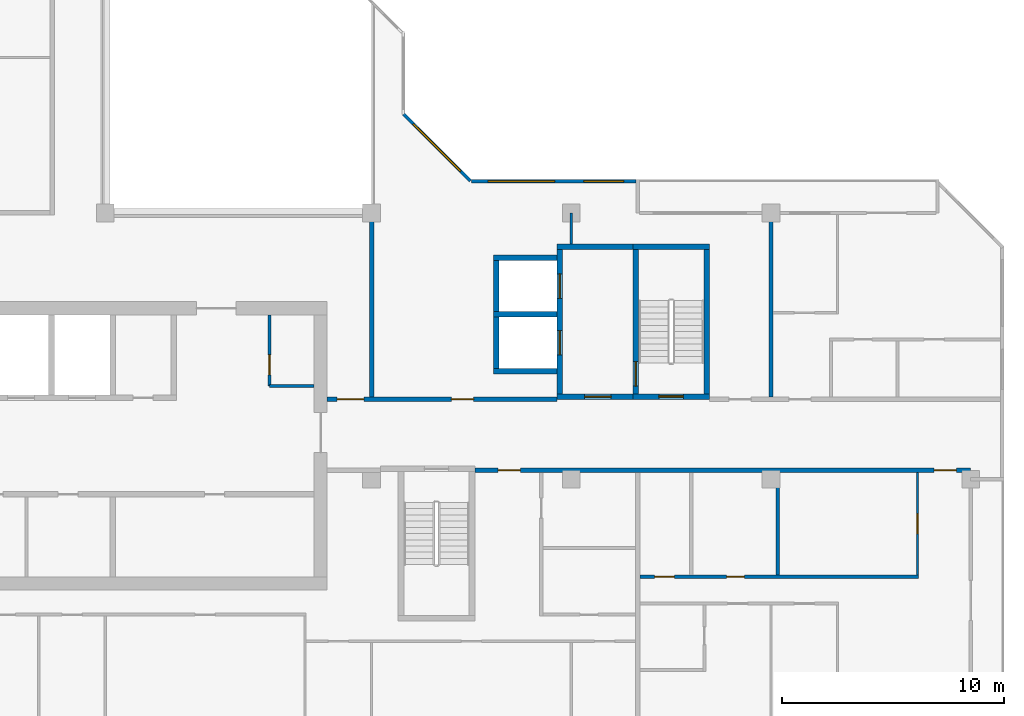
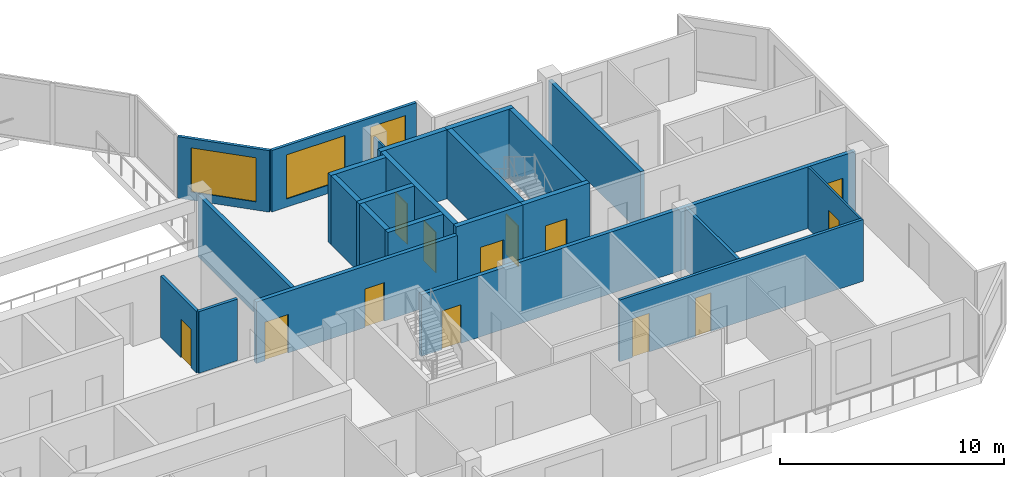
# One storey, part 7 of 13: 24 walls, 13 doors, 3 windows, 16 openings.
"""IFC4 building model written with IfcOpenShell, lengths in metres."""

from ifc_helpers import new_model, si_unit, direction, frame, frame_2d, origin, place, context, subcontext, project, spatial, rectangle, extrude, material, layer, layer_set, type_object, element, fill, save


model = new_model("IFC4")

# Units and contexts
model_context = context("Model", 3, precision=1e-05, world=origin(), true_north=direction((0.0, 1.0)))
body_context = subcontext(model_context, "Body", "Model", "MODEL_VIEW")
ifc_project = project(units=[si_unit("LENGTHUNIT", "METRE"), si_unit("AREAUNIT", "SQUARE_METRE"), si_unit("VOLUMEUNIT", "CUBIC_METRE"), si_unit("PLANEANGLEUNIT", "RADIAN"), si_unit("MASSUNIT", "GRAM", prefix="KILO")], contexts=[model_context])

# Site, building, storey
site_placement = place(None, origin())
site = spatial("IfcSite", under=ifc_project, at=site_placement, CompositionType="ELEMENT")
building_placement = place(site_placement, origin())
building = spatial("IfcBuilding", under=site, at=building_placement, Name="Chenar Terraces", CompositionType="ELEMENT")
storey_placement = place(building_placement, frame((0.0, 0.0, 307.14990234375)))
storey = spatial("IfcBuildingStorey", under=building, at=storey_placement, Name="L72", CompositionType="ELEMENT", Elevation=307.14990234375)

# Wall, opening, door
ifc_material_1 = material(Name="Gypsum board on steel studs", Category="steel")
ifc_layer_1 = layer(ifc_material_1, 0.14990234375)
ifc_layer_set_1 = layer_set([ifc_layer_1], Name="Gypsum board on steel studs")
wall_type_1 = type_object("IfcWallType", Name="Core partition 150 gypsum board", PredefinedType="PARTITIONING", material=ifc_layer_set_1)
wall_1_placement = place(storey_placement, frame((31.39990234375, 16.199951171875, 0.0), z_axis=(0.0, 0.0, 1.0), x_axis=(0.0, 1.0, 0.0)))
wall_1 = element("IfcWall", 1, at=wall_1_placement, inside=storey, type_object=wall_type_1, Name="Core partition CP1 vestibule room west wall", PredefinedType="PARTITIONING", context=body_context, shape_type="SweptSolid", body=[
    extrude(rectangle(XDim=3.199951171875, YDim=0.14990234375, at=frame_2d((1.60009765625, 0.0))), origin(), (0.0, 0.0, 1.0), 3.35009765625),
])
opening_1_placement = place(wall_1_placement, frame((0.5, 0.0, 0.0)))
opening_1 = element("IfcOpeningElement", 2, at=opening_1_placement, cuts=wall_1, Name="Opening DL72-C17", PredefinedType="OPENING", context=body_context, shape_type="SweptSolid", body=[
    extrude(rectangle(XDim=0.89990234375, YDim=2.10009765625, at=frame_2d((0.449951171875, 1.050048828125))), frame((0.0, 0.0849609375, 0.0), z_axis=(0.0, -1.0, 0.0), x_axis=(1.0, 0.0, 0.0)), (0.0, 0.0, 1.0), 0.169921875),
])
ifc_material_2 = material(Name="Steel-framed fire-resisting door leaf", Category="steel")
door_type_1 = type_object("IfcDoorType", Name="Riser fire door FD60 900 x 2100", OperationType="SINGLE_SWING_LEFT", PredefinedType="DOOR", material=ifc_material_2)
door_1_placement = place(opening_1_placement, frame((0.89990234375, 0.0, 0.0), z_axis=(0.0, 0.0, 1.0), x_axis=(-1.0, 0.0, 0.0)))
door_1 = element("IfcDoor", 3, at=door_1_placement, inside=storey, type_object=door_type_1, Name="Core room door DL72-C17", OperationType="SINGLE_SWING_RIGHT", OverallHeight=2.10009765625, OverallWidth=0.89990234375, PredefinedType="DOOR", context=body_context, shape_type="SweptSolid", body=[
    extrude(rectangle(XDim=0.89990234375, YDim=2.10009765625, at=frame_2d((0.449951171875, 1.050048828125))), frame((0.0, 0.02490234375, 0.0), z_axis=(0.0, -1.0, 0.0), x_axis=(1.0, 0.0, 0.0)), (0.0, 0.0, 1.0), 0.050048828125),
])
fill(opening_1, door_1)

# Wall
wall_2_placement = place(storey_placement, frame((31.39990234375, 16.199951171875, 0.0), z_axis=(0.0, 0.0, 1.0), x_axis=(1.0, 0.0, 0.0)))
element("IfcWall", 4, at=wall_2_placement, inside=storey, type_object=wall_type_1, Name="Core partition CP1 vestibule room south wall", PredefinedType="PARTITIONING", context=body_context, shape_type="SweptSolid", body=[
    extrude(rectangle(XDim=2.0, YDim=0.14990234375, at=frame_2d((1.0, 0.0))), origin(), (0.0, 0.0, 1.0), 3.35009765625),
])

# Wall, opening, door
ifc_material_3 = material(Name="Concrete C50/60", Category="concrete")
ifc_layer_2 = layer(ifc_material_3, 0.25)
ifc_layer_set_2 = layer_set([ifc_layer_2], Name="Concrete C50/60")
wall_type_2 = type_object("IfcWallType", Name="Core wall 250 Concrete C50/60", PredefinedType="SHEAR", material=ifc_layer_set_2)
wall_3_placement = place(storey_placement, frame((47.77490234375, 15.72509765625, 0.0), z_axis=(0.0, 0.0, 1.0), x_axis=(1.0, 0.0, 0.0)))
wall_3 = element("IfcWall", 5, at=wall_3_placement, inside=storey, type_object=wall_type_2, Name="Core wall ST3_S L72", PredefinedType="SHEAR", context=body_context, shape_type="SweptSolid", body=[
    extrude(rectangle(XDim=3.4501953125, YDim=0.25, at=frame_2d((1.72509765625, 0.0))), origin(), (0.0, 0.0, 1.0), 3.75),
])
opening_2_placement = place(wall_3_placement, frame((1.175048828125, 0.0, 0.0)))
opening_2 = element("IfcOpeningElement", 6, at=opening_2_placement, cuts=wall_3, Name="Opening DL72-C8", PredefinedType="OPENING", context=body_context, shape_type="SweptSolid", body=[
    extrude(rectangle(XDim=1.10009765625, YDim=2.199951171875, at=frame_2d((0.550048828125, 1.10009765625))), frame((0.0, 0.135009765625, 0.0), z_axis=(0.0, -1.0, 0.0), x_axis=(1.0, 0.0, 0.0)), (0.0, 0.0, 1.0), 0.27001953125),
])
ifc_material_4 = material(Name="Steel-framed fire-resisting door leaf", Category="steel")
door_type_2 = type_object("IfcDoorType", Name="Stair fire door FD60 1100 x 2200", OperationType="SINGLE_SWING_LEFT", PredefinedType="DOOR", material=ifc_material_4)
door_2_placement = place(opening_2_placement, frame((1.10009765625, 0.0, 0.0), z_axis=(0.0, 0.0, 1.0), x_axis=(-1.0, 0.0, 0.0)))
door_2 = element("IfcDoor", 7, at=door_2_placement, inside=storey, type_object=door_type_2, Name="Stair door DL72-C8", OperationType="SINGLE_SWING_LEFT", OverallHeight=2.199951171875, OverallWidth=1.10009765625, PredefinedType="DOOR", context=body_context, shape_type="SweptSolid", body=[
    extrude(rectangle(XDim=1.10009765625, YDim=2.199951171875, at=frame_2d((0.550048828125, 1.10009765625))), frame((0.0, 0.02490234375, 0.0), z_axis=(0.0, -1.0, 0.0), x_axis=(1.0, 0.0, 0.0)), (0.0, 0.0, 1.0), 0.050048828125),
])
fill(opening_2, door_2)

# Wall
wall_4_placement = place(storey_placement, frame((47.77490234375, 22.47509765625, 0.0), z_axis=(0.0, 0.0, 1.0), x_axis=(1.0, 0.0, 0.0)))
element("IfcWall", 8, at=wall_4_placement, inside=storey, type_object=wall_type_2, Name="Core wall ST3_N L72", PredefinedType="SHEAR", context=body_context, shape_type="SweptSolid", body=[
    extrude(rectangle(XDim=3.4501953125, YDim=0.25, at=frame_2d((1.72509765625, 0.0))), origin(), (0.0, 0.0, 1.0), 3.75),
])

# Wall, opening, door
wall_5_placement = place(storey_placement, frame((47.89990234375, 15.85009765625, 0.0), z_axis=(0.0, 0.0, 1.0), x_axis=(0.0, 1.0, 0.0)))
wall_5 = element("IfcWall", 9, at=wall_5_placement, inside=storey, type_object=wall_type_2, Name="Core wall ST3_W L72", PredefinedType="SHEAR", context=body_context, shape_type="SweptSolid", body=[
    extrude(rectangle(XDim=6.5, YDim=0.25, at=frame_2d((3.25, 0.0))), origin(), (0.0, 0.0, 1.0), 3.75),
])
opening_3_placement = place(wall_5_placement, frame((0.35009765625, 0.0, 0.0)))
opening_3 = element("IfcOpeningElement", 10, at=opening_3_placement, cuts=wall_5, Name="Opening DL72-C11", PredefinedType="OPENING", context=body_context, shape_type="SweptSolid", body=[
    extrude(rectangle(XDim=1.10009765625, YDim=2.199951171875, at=frame_2d((0.550048828125, 1.10009765625))), frame((0.0, 0.135009765625, 0.0), z_axis=(0.0, -1.0, 0.0), x_axis=(1.0, 0.0, 0.0)), (0.0, 0.0, 1.0), 0.27001953125),
])
door_3_placement = place(opening_3_placement, frame((1.10009765625, 0.0, 0.0), z_axis=(0.0, 0.0, 1.0), x_axis=(-1.0, 0.0, 0.0)))
door_3 = element("IfcDoor", 11, at=door_3_placement, inside=storey, type_object=door_type_2, Name="Stair door DL72-C11", OperationType="SINGLE_SWING_RIGHT", OverallHeight=2.199951171875, OverallWidth=1.10009765625, PredefinedType="DOOR", context=body_context, shape_type="SweptSolid", body=[
    extrude(rectangle(XDim=1.10009765625, YDim=2.199951171875, at=frame_2d((0.550048828125, 1.10009765625))), frame((0.0, 0.02490234375, 0.0), z_axis=(0.0, -1.0, 0.0), x_axis=(1.0, 0.0, 0.0)), (0.0, 0.0, 1.0), 0.050048828125),
])
fill(opening_3, door_3)

# Wall
wall_6_placement = place(storey_placement, frame((51.10009765625, 15.85009765625, 0.0), z_axis=(0.0, 0.0, 1.0), x_axis=(0.0, 1.0, 0.0)))
element("IfcWall", 12, at=wall_6_placement, inside=storey, type_object=wall_type_2, Name="Core wall ST3_E L72", PredefinedType="SHEAR", context=body_context, shape_type="SweptSolid", body=[
    extrude(rectangle(XDim=6.5, YDim=0.25, at=frame_2d((3.25, 0.0))), origin(), (0.0, 0.0, 1.0), 3.75),
])

# Wall, opening, door
wall_7_placement = place(storey_placement, frame((44.35009765625, 15.72509765625, 0.0), z_axis=(0.0, 0.0, 1.0), x_axis=(1.0, 0.0, 0.0)))
wall_7 = element("IfcWall", 13, at=wall_7_placement, inside=storey, type_object=wall_type_2, Name="Core wall F3_LS L72", PredefinedType="SHEAR", context=body_context, shape_type="SweptSolid", body=[
    extrude(rectangle(XDim=3.4248046875, YDim=0.25, at=frame_2d((1.71240234375, 0.0))), origin(), (0.0, 0.0, 1.0), 3.75),
])
opening_4_placement = place(wall_7_placement, frame((1.25, 0.0, 0.0)))
opening_4 = element("IfcOpeningElement", 14, at=opening_4_placement, cuts=wall_7, Name="Opening DL72-C10", PredefinedType="OPENING", context=body_context, shape_type="SweptSolid", body=[
    extrude(rectangle(XDim=1.199951171875, YDim=2.199951171875, at=frame_2d((0.60009765625, 1.10009765625))), frame((0.0, 0.135009765625, 0.0), z_axis=(0.0, -1.0, 0.0), x_axis=(1.0, 0.0, 0.0)), (0.0, 0.0, 1.0), 0.27001953125),
])
ifc_material_5 = material(Name="Steel-framed fire-resisting door leaf", Category="steel")
door_type_3 = type_object("IfcDoorType", Name="Lobby fire door FD60 1200 x 2200", OperationType="SINGLE_SWING_LEFT", PredefinedType="DOOR", material=ifc_material_5)
door_4_placement = place(opening_4_placement, origin())
door_4 = element("IfcDoor", 15, at=door_4_placement, inside=storey, type_object=door_type_3, Name="Core door DL72-C10", OperationType="SINGLE_SWING_RIGHT", OverallHeight=2.199951171875, OverallWidth=1.199951171875, PredefinedType="DOOR", context=body_context, shape_type="SweptSolid", body=[
    extrude(rectangle(XDim=1.199951171875, YDim=2.199951171875, at=frame_2d((0.60009765625, 1.10009765625))), frame((0.0, 0.02490234375, 0.0), z_axis=(0.0, -1.0, 0.0), x_axis=(1.0, 0.0, 0.0)), (0.0, 0.0, 1.0), 0.050048828125),
])
fill(opening_4, door_4)

# Wall
wall_8_placement = place(storey_placement, frame((44.35009765625, 22.47509765625, 0.0), z_axis=(0.0, 0.0, 1.0), x_axis=(1.0, 0.0, 0.0)))
element("IfcWall", 16, at=wall_8_placement, inside=storey, type_object=wall_type_2, Name="Core wall F3_LN L72", PredefinedType="SHEAR", context=body_context, shape_type="SweptSolid", body=[
    extrude(rectangle(XDim=3.4248046875, YDim=0.25, at=frame_2d((1.71240234375, 0.0))), origin(), (0.0, 0.0, 1.0), 3.75),
])

# Wall, openings, doors
wall_9_placement = place(storey_placement, frame((44.47509765625, 15.85009765625, 0.0), z_axis=(0.0, 0.0, 1.0), x_axis=(0.0, 1.0, 0.0)))
wall_9 = element("IfcWall", 17, at=wall_9_placement, inside=storey, type_object=wall_type_2, Name="Core wall F3_LW L72", PredefinedType="SHEAR", context=body_context, shape_type="SweptSolid", body=[
    extrude(rectangle(XDim=6.5, YDim=0.25, at=frame_2d((3.25, 0.0))), origin(), (0.0, 0.0, 1.0), 3.75),
])
opening_5_placement = place(wall_9_placement, frame((1.75, 0.0, 0.0)))
opening_5 = element("IfcOpeningElement", 18, at=opening_5_placement, cuts=wall_9, Name="Opening DL72-LD8", PredefinedType="OPENING", context=body_context, shape_type="SweptSolid", body=[
    extrude(rectangle(XDim=1.10009765625, YDim=2.199951171875, at=frame_2d((0.550048828125, 1.10009765625))), frame((0.0, 0.135009765625, 0.0), z_axis=(0.0, -1.0, 0.0), x_axis=(1.0, 0.0, 0.0)), (0.0, 0.0, 1.0), 0.27001953125),
])
opening_6_placement = place(wall_9_placement, frame((4.300048828125, 0.0, 0.0)))
opening_6 = element("IfcOpeningElement", 19, at=opening_6_placement, cuts=wall_9, Name="Opening DL72-LD9", PredefinedType="OPENING", context=body_context, shape_type="SweptSolid", body=[
    extrude(rectangle(XDim=1.10009765625, YDim=2.199951171875, at=frame_2d((0.550048828125, 1.10009765625))), frame((0.0, 0.135009765625, 0.0), z_axis=(0.0, -1.0, 0.0), x_axis=(1.0, 0.0, 0.0)), (0.0, 0.0, 1.0), 0.27001953125),
])
ifc_material_6 = material(Name="Stainless steel", Category="steel")
door_type_4 = type_object("IfcDoorType", Name="Lift landing door 1100 x 2200 sliding", OperationType="DOUBLE_DOOR_SLIDING", PredefinedType="DOOR", material=ifc_material_6)
door_5_placement = place(opening_5_placement, origin())
door_5 = element("IfcDoor", 20, at=door_5_placement, inside=storey, type_object=door_type_4, Name="Landing door F3", OperationType="DOUBLE_DOOR_SLIDING", OverallHeight=2.199951171875, OverallWidth=1.10009765625, PredefinedType="DOOR", context=body_context, shape_type="SweptSolid", body=[
    extrude(rectangle(XDim=1.10009765625, YDim=2.199951171875, at=frame_2d((0.550048828125, 1.10009765625))), frame((0.0, 0.02490234375, 0.0), z_axis=(0.0, -1.0, 0.0), x_axis=(1.0, 0.0, 0.0)), (0.0, 0.0, 1.0), 0.050048828125),
])
fill(opening_5, door_5)
door_6_placement = place(opening_6_placement, origin())
door_6 = element("IfcDoor", 21, at=door_6_placement, inside=storey, type_object=door_type_4, Name="Landing door F4", OperationType="DOUBLE_DOOR_SLIDING", OverallHeight=2.199951171875, OverallWidth=1.10009765625, PredefinedType="DOOR", context=body_context, shape_type="SweptSolid", body=[
    extrude(rectangle(XDim=1.10009765625, YDim=2.199951171875, at=frame_2d((0.550048828125, 1.10009765625))), frame((0.0, 0.02490234375, 0.0), z_axis=(0.0, -1.0, 0.0), x_axis=(1.0, 0.0, 0.0)), (0.0, 0.0, 1.0), 0.050048828125),
])
fill(opening_6, door_6)

# Walls
for number, where, z_axis, x_axis, name in (
    (22, (41.5, 16.875, 0.0), (0.0, 0.0, 1.0), (1.0, 0.0, 0.0), "Core wall F3_SS L72"),
    (23, (41.5, 19.425048828125, 0.0), (0.0, 0.0, 1.0), (1.0, 0.0, 0.0), "Core wall F3_SM L72"),
    (24, (41.5, 21.97509765625, 0.0), (0.0, 0.0, 1.0), (1.0, 0.0, 0.0), "Core wall F4_SN L72"),
):
    element("IfcWall", number, at=place(storey_placement, frame(where, z_axis=z_axis, x_axis=x_axis)), inside=storey, type_object=wall_type_2, Name=name, PredefinedType="SHEAR", context=body_context, shape_type="SweptSolid", body=[
        extrude(rectangle(XDim=2.85009765625, YDim=0.25, at=frame_2d((1.425048828125, 0.0))), origin(), (0.0, 0.0, 1.0), 3.75),
    ])
for number, where, z_axis, x_axis, name in (
    (25, (41.625, 17.0, 0.0), (0.0, 0.0, 1.0), (0.0, 1.0, 0.0), "Core wall F3_SW L72"),
    (26, (41.625, 19.550048828125, 0.0), (0.0, 0.0, 1.0), (0.0, 1.0, 0.0), "Core wall F4_SW L72"),
):
    element("IfcWall", number, at=place(storey_placement, frame(where, z_axis=z_axis, x_axis=x_axis)), inside=storey, type_object=wall_type_2, Name=name, PredefinedType="SHEAR", context=body_context, shape_type="SweptSolid", body=[
        extrude(rectangle(XDim=2.300048828125, YDim=0.25, at=frame_2d((1.14990234375, 0.0))), origin(), (0.0, 0.0, 1.0), 3.75),
    ])

# Wall, openings, doors
ifc_material_7 = material(Name="Gypsum board on steel studs with fire boards", Category="steel")
ifc_layer_3 = layer(ifc_material_7, 0.199951171875)
ifc_layer_set_3 = layer_set([ifc_layer_3], Name="Gypsum board on steel studs with fire boards")
wall_type_3 = type_object("IfcWallType", Name="Corridor wall 200", PredefinedType="PARTITIONING", material=ifc_layer_set_3)
wall_10_placement = place(storey_placement, frame((34.0, 15.60009765625, 0.0), z_axis=(0.0, 0.0, 1.0), x_axis=(1.0, 0.0, 0.0)))
wall_10 = element("IfcWall", 27, at=wall_10_placement, inside=storey, type_object=wall_type_3, Name="Partition L72-052", PredefinedType="PARTITIONING", context=body_context, shape_type="SweptSolid", body=[
    extrude(rectangle(XDim=10.35009765625, YDim=0.199951171875, at=frame_2d((5.175048828125, 0.0))), origin(), (0.0, 0.0, 1.0), 3.35009765625),
])
opening_7_placement = place(wall_10_placement, frame((5.60009765625, 0.0, 0.0)))
opening_7 = element("IfcOpeningElement", 28, at=opening_7_placement, cuts=wall_10, Name="Opening DL72-3", PredefinedType="OPENING", context=body_context, shape_type="SweptSolid", body=[
    extrude(rectangle(XDim=1.0, YDim=2.10009765625, at=frame_2d((0.5, 1.050048828125))), frame((0.0, 0.10986328125, 0.0), z_axis=(0.0, -1.0, 0.0), x_axis=(1.0, 0.0, 0.0)), (0.0, 0.0, 1.0), 0.219970703125),
])
opening_8_placement = place(wall_10_placement, frame((0.449951171875, 0.0, 0.0)))
opening_8 = element("IfcOpeningElement", 29, at=opening_8_placement, cuts=wall_10, Name="Opening DL72-29", PredefinedType="OPENING", context=body_context, shape_type="SweptSolid", body=[
    extrude(rectangle(XDim=1.199951171875, YDim=2.10009765625, at=frame_2d((0.60009765625, 1.050048828125))), frame((0.0, 0.10986328125, 0.0), z_axis=(0.0, -1.0, 0.0), x_axis=(1.0, 0.0, 0.0)), (0.0, 0.0, 1.0), 0.219970703125),
])
ifc_material_8 = material(Name="Steel-framed fire-resisting door leaf", Category="steel")
door_type_5 = type_object("IfcDoorType", Name="Fire door FD60 1000 x 2100", OperationType="SINGLE_SWING_LEFT", PredefinedType="DOOR", material=ifc_material_8)
door_7_placement = place(opening_7_placement, origin())
door_7 = element("IfcDoor", 30, at=door_7_placement, inside=storey, type_object=door_type_5, Name="Door DL72-3", OperationType="SINGLE_SWING_RIGHT", OverallHeight=2.10009765625, OverallWidth=1.0, PredefinedType="DOOR", context=body_context, shape_type="SweptSolid", body=[
    extrude(rectangle(XDim=1.0, YDim=2.10009765625, at=frame_2d((0.5, 1.050048828125))), frame((0.0, 0.02490234375, 0.0), z_axis=(0.0, -1.0, 0.0), x_axis=(1.0, 0.0, 0.0)), (0.0, 0.0, 1.0), 0.050048828125),
])
fill(opening_7, door_7)
ifc_material_9 = material(Name="Steel-framed fire-resisting door leaf", Category="steel")
door_type_6 = type_object("IfcDoorType", Name="Fire door FD60 1200 x 2100", OperationType="SINGLE_SWING_LEFT", PredefinedType="DOOR", material=ifc_material_9)
door_8_placement = place(opening_8_placement, origin())
door_8 = element("IfcDoor", 31, at=door_8_placement, inside=storey, type_object=door_type_6, Name="Door DL72-29", OperationType="SINGLE_SWING_RIGHT", OverallHeight=2.10009765625, OverallWidth=1.199951171875, PredefinedType="DOOR", context=body_context, shape_type="SweptSolid", body=[
    extrude(rectangle(XDim=1.199951171875, YDim=2.10009765625, at=frame_2d((0.60009765625, 1.050048828125))), frame((0.0, 0.02490234375, 0.0), z_axis=(0.0, -1.0, 0.0), x_axis=(1.0, 0.0, 0.0)), (0.0, 0.0, 1.0), 0.050048828125),
])
fill(opening_8, door_8)

# Wall
wall_11_placement = place(storey_placement, frame((36.0, 15.699951171875, 0.0), z_axis=(0.0, 0.0, 1.0), x_axis=(0.0, 1.0, 0.0)))
element("IfcWall", 32, at=wall_11_placement, inside=storey, type_object=wall_type_3, Name="Partition L72-054", PredefinedType="PARTITIONING", context=body_context, shape_type="SweptSolid", body=[
    extrude(rectangle(XDim=8.300048828125, YDim=0.199951171875, at=frame_2d((4.14990234375, 0.0))), origin(), (0.0, 0.0, 1.0), 3.35009765625),
])

# Wall, openings, doors
wall_12_placement = place(storey_placement, frame((40.64990234375, 12.39990234375, 0.0), z_axis=(0.0, 0.0, 1.0), x_axis=(1.0, 0.0, 0.0)))
wall_12 = element("IfcWall", 33, at=wall_12_placement, inside=storey, type_object=wall_type_3, Name="Partition L72-055", PredefinedType="PARTITIONING", context=body_context, shape_type="SweptSolid", body=[
    extrude(rectangle(XDim=22.35009765625, YDim=0.199951171875, at=frame_2d((11.175048828125, 0.0))), origin(), (0.0, 0.0, 1.0), 3.35009765625),
])
opening_9_placement = place(wall_12_placement, frame((20.699951171875, 0.0, 0.0)))
opening_9 = element("IfcOpeningElement", 34, at=opening_9_placement, cuts=wall_12, Name="Opening DL72-13", PredefinedType="OPENING", context=body_context, shape_type="SweptSolid", body=[
    extrude(rectangle(XDim=1.0, YDim=2.10009765625, at=frame_2d((0.5, 1.050048828125))), frame((0.0, 0.10986328125, 0.0), z_axis=(0.0, -1.0, 0.0), x_axis=(1.0, 0.0, 0.0)), (0.0, 0.0, 1.0), 0.219970703125),
])
opening_10_placement = place(wall_12_placement, frame((1.050048828125, 0.0, 0.0)))
opening_10 = element("IfcOpeningElement", 35, at=opening_10_placement, cuts=wall_12, Name="Opening DL72-43", PredefinedType="OPENING", context=body_context, shape_type="SweptSolid", body=[
    extrude(rectangle(XDim=1.0, YDim=2.10009765625, at=frame_2d((0.5, 1.050048828125))), frame((0.0, 0.10986328125, 0.0), z_axis=(0.0, -1.0, 0.0), x_axis=(1.0, 0.0, 0.0)), (0.0, 0.0, 1.0), 0.219970703125),
])
ifc_material_10 = material(Name="Steel-framed fire-resisting door leaf", Category="steel")
door_type_7 = type_object("IfcDoorType", Name="Fire door FD30S 1000 x 2100", OperationType="SINGLE_SWING_LEFT", PredefinedType="DOOR", material=ifc_material_10)
door_9_placement = place(opening_9_placement, frame((1.0, 0.0, 0.0), z_axis=(0.0, 0.0, 1.0), x_axis=(-1.0, 0.0, 0.0)))
door_9 = element("IfcDoor", 36, at=door_9_placement, inside=storey, type_object=door_type_7, Name="Door DL72-13", OperationType="SINGLE_SWING_LEFT", OverallHeight=2.10009765625, OverallWidth=1.0, PredefinedType="DOOR", context=body_context, shape_type="SweptSolid", body=[
    extrude(rectangle(XDim=1.0, YDim=2.10009765625, at=frame_2d((0.5, 1.050048828125))), frame((0.0, 0.02490234375, 0.0), z_axis=(0.0, -1.0, 0.0), x_axis=(1.0, 0.0, 0.0)), (0.0, 0.0, 1.0), 0.050048828125),
])
fill(opening_9, door_9)
door_10_placement = place(opening_10_placement, origin())
door_10 = element("IfcDoor", 37, at=door_10_placement, inside=storey, type_object=door_type_7, Name="Door DL72-43", OperationType="SINGLE_SWING_LEFT", OverallHeight=2.10009765625, OverallWidth=1.0, PredefinedType="DOOR", context=body_context, shape_type="SweptSolid", body=[
    extrude(rectangle(XDim=1.0, YDim=2.10009765625, at=frame_2d((0.5, 1.050048828125))), frame((0.0, 0.02490234375, 0.0), z_axis=(0.0, -1.0, 0.0), x_axis=(1.0, 0.0, 0.0)), (0.0, 0.0, 1.0), 0.050048828125),
])
fill(opening_10, door_10)

# Wall, openings, windows
ifc_material_11 = material(Name="Aluminium framed glazing", Category="aluminium")
ifc_layer_4 = layer(ifc_material_11, 0.14990234375)
ifc_layer_set_4 = layer_set([ifc_layer_4], Name="Aluminium framed glazing")
wall_type_4 = type_object("IfcWallType", Name="Glazed flush facade wall 150", PredefinedType="SOLIDWALL", material=ifc_layer_set_4)
wall_13_placement = place(storey_placement, frame((47.925048828125, 25.425048828125, 0.0), z_axis=(0.0, 0.0, 1.0), x_axis=(-1.0, 0.0, 0.0)))
wall_13 = element("IfcWall", 38, at=wall_13_placement, inside=storey, type_object=wall_type_4, Name="Glazed flush facade wall", PredefinedType="SOLIDWALL", context=body_context, shape_type="SweptSolid", body=[
    extrude(rectangle(XDim=7.425048828125, YDim=0.14990234375, at=frame_2d((3.71240234375, 0.0))), origin(), (0.0, 0.0, 1.0), 3.35009765625),
])
opening_11_placement = place(wall_13_placement, frame((0.5625, 0.0, 0.449951171875)))
opening_11 = element("IfcOpeningElement", 39, at=opening_11_placement, cuts=wall_13, Name="Opening W180x240", PredefinedType="OPENING", context=body_context, shape_type="SweptSolid", body=[
    extrude(rectangle(XDim=1.800048828125, YDim=2.39990234375, at=frame_2d((0.89990234375, 1.199951171875))), frame((0.0, 0.0849609375, 0.0), z_axis=(0.0, -1.0, 0.0), x_axis=(1.0, 0.0, 0.0)), (0.0, 0.0, 1.0), 0.169921875),
])
opening_12_placement = place(wall_13_placement, frame((3.675048828125, 0.0, 0.449951171875)))
opening_12 = element("IfcOpeningElement", 40, at=opening_12_placement, cuts=wall_13, Name="Opening W300x240", PredefinedType="OPENING", context=body_context, shape_type="SweptSolid", body=[
    extrude(rectangle(XDim=3.0, YDim=2.39990234375, at=frame_2d((1.5, 1.199951171875))), frame((0.0, 0.0849609375, 0.0), z_axis=(0.0, -1.0, 0.0), x_axis=(1.0, 0.0, 0.0)), (0.0, 0.0, 1.0), 0.169921875),
])
ifc_material_12 = material(Name="Low emissivity double glazing, aluminium frame", Category="aluminium")
window_type_1 = type_object("IfcWindowType", Name="Fixed light 1800 x 2400", PartitioningType="SINGLE_PANEL", PredefinedType="WINDOW", material=ifc_material_12)
window_1_placement = place(opening_11_placement, origin())
window_1 = element("IfcWindow", 41, at=window_1_placement, inside=storey, type_object=window_type_1, Name="Window", OverallHeight=2.39990234375, OverallWidth=1.800048828125, PartitioningType="SINGLE_PANEL", PredefinedType="WINDOW", context=body_context, shape_type="SweptSolid", body=[
    extrude(rectangle(XDim=1.800048828125, YDim=2.39990234375, at=frame_2d((0.89990234375, 1.199951171875))), frame((0.0, 0.030029296875, 0.0), z_axis=(0.0, -1.0, 0.0), x_axis=(1.0, 0.0, 0.0)), (0.0, 0.0, 1.0), 0.06005859375),
])
fill(opening_11, window_1)
ifc_material_13 = material(Name="Low emissivity double glazing, aluminium frame", Category="aluminium")
window_type_2 = type_object("IfcWindowType", Name="Fixed light 3000 x 2400", PartitioningType="SINGLE_PANEL", PredefinedType="WINDOW", material=ifc_material_13)
window_2_placement = place(opening_12_placement, origin())
window_2 = element("IfcWindow", 42, at=window_2_placement, inside=storey, type_object=window_type_2, Name="Window", OverallHeight=2.39990234375, OverallWidth=3.0, PartitioningType="SINGLE_PANEL", PredefinedType="WINDOW", context=body_context, shape_type="SweptSolid", body=[
    extrude(rectangle(XDim=3.0, YDim=2.39990234375, at=frame_2d((1.5, 1.199951171875))), frame((0.0, 0.030029296875, 0.0), z_axis=(0.0, -1.0, 0.0), x_axis=(1.0, 0.0, 0.0)), (0.0, 0.0, 1.0), 0.06005859375),
])
fill(opening_12, window_2)

# Wall
ifc_material_14 = material(Name="Gypsum board on steel studs", Category="steel")
ifc_layer_5 = layer(ifc_material_14, 0.10009765625)
ifc_layer_set_5 = layer_set([ifc_layer_5], Name="Gypsum board on steel studs")
wall_type_5 = type_object("IfcWallType", Name="Gypsum partition 100", PredefinedType="PARTITIONING", material=ifc_layer_set_5)
wall_14_placement = place(storey_placement, frame((45.0, 22.60009765625, 0.0), z_axis=(0.0, 0.0, 1.0), x_axis=(0.0, 1.0, 0.0)))
element("IfcWall", 43, at=wall_14_placement, inside=storey, type_object=wall_type_5, Name="Partition L72-060", PredefinedType="PARTITIONING", context=body_context, shape_type="SweptSolid", body=[
    extrude(rectangle(XDim=1.39990234375, YDim=0.10009765625, at=frame_2d((0.699951171875, 0.0))), origin(), (0.0, 0.0, 1.0), 3.35009765625),
])

# Wall, opening, door
wall_15_placement = place(storey_placement, frame((60.60009765625, 7.675048828125, 0.0), z_axis=(0.0, 0.0, 1.0), x_axis=(0.0, 1.0, 0.0)))
wall_15 = element("IfcWall", 44, at=wall_15_placement, inside=storey, type_object=wall_type_5, Name="Partition L72-077", PredefinedType="PARTITIONING", context=body_context, shape_type="SweptSolid", body=[
    extrude(rectangle(XDim=4.625, YDim=0.10009765625, at=frame_2d((2.3125, 0.0))), origin(), (0.0, 0.0, 1.0), 3.35009765625),
])
opening_13_placement = place(wall_15_placement, frame((1.875, 0.0, 0.0)))
opening_13 = element("IfcOpeningElement", 45, at=opening_13_placement, cuts=wall_15, Name="Opening DL72-12", PredefinedType="OPENING", context=body_context, shape_type="SweptSolid", body=[
    extrude(rectangle(XDim=0.89990234375, YDim=2.10009765625, at=frame_2d((0.449951171875, 1.050048828125))), frame((0.0, 0.06005859375, 0.0), z_axis=(0.0, -1.0, 0.0), x_axis=(1.0, 0.0, 0.0)), (0.0, 0.0, 1.0), 0.1201171875),
])
ifc_material_15 = material(Name="Veneered timber door leaf", Category="wood")
door_type_8 = type_object("IfcDoorType", Name="Door 900 x 2100", OperationType="SINGLE_SWING_LEFT", PredefinedType="DOOR", material=ifc_material_15)
door_11_placement = place(opening_13_placement, origin())
door_11 = element("IfcDoor", 46, at=door_11_placement, inside=storey, type_object=door_type_8, Name="Door DL72-12", OperationType="SINGLE_SWING_LEFT", OverallHeight=2.10009765625, OverallWidth=0.89990234375, PredefinedType="DOOR", context=body_context, shape_type="SweptSolid", body=[
    extrude(rectangle(XDim=0.89990234375, YDim=2.10009765625, at=frame_2d((0.449951171875, 1.050048828125))), frame((0.0, 0.02490234375, 0.0), z_axis=(0.0, -1.0, 0.0), x_axis=(1.0, 0.0, 0.0)), (0.0, 0.0, 1.0), 0.050048828125),
])
fill(opening_13, door_11)

# Wall, opening, window
ifc_material_16 = material(Name="Terracotta cladding on insulated backing", Category="masonry")
ifc_layer_6 = layer(ifc_material_16, 0.14990234375)
ifc_layer_set_6 = layer_set([ifc_layer_6], Name="Terracotta cladding on insulated backing")
wall_type_6 = type_object("IfcWallType", Name="Terracotta rainscreen wall 150", PredefinedType="SOLIDWALL", material=ifc_layer_set_6)
wall_16_placement = place(storey_placement, frame((40.447021484375, 25.447021484375, 0.0), z_axis=(0.0, 0.0, 1.0), x_axis=(-0.707106781187, 0.707106781187, 0.0)))
wall_16 = element("IfcWall", 47, at=wall_16_placement, inside=storey, type_object=wall_type_6, Name="Terracotta rainscreen wall", PredefinedType="SOLIDWALL", context=body_context, shape_type="SweptSolid", body=[
    extrude(rectangle(XDim=4.24267578125, YDim=0.14990234375, at=frame_2d((2.121337890625, 0.0))), origin(), (0.0, 0.0, 1.0), 3.35009765625),
])
opening_14_placement = place(wall_16_placement, frame((0.621337890625, 0.0, 0.449951171875)))
opening_14 = element("IfcOpeningElement", 48, at=opening_14_placement, cuts=wall_16, Name="Opening W300x240", PredefinedType="OPENING", context=body_context, shape_type="SweptSolid", body=[
    extrude(rectangle(XDim=3.0, YDim=2.39990234375, at=frame_2d((1.5, 1.199951171875))), frame((0.0, 0.0849609375, 0.0), z_axis=(0.0, -1.0, 0.0), x_axis=(1.0, 0.0, 0.0)), (0.0, 0.0, 1.0), 0.169921875),
])
window_3_placement = place(opening_14_placement, origin())
window_3 = element("IfcWindow", 49, at=window_3_placement, inside=storey, type_object=window_type_2, Name="Window", OverallHeight=2.39990234375, OverallWidth=3.0, PartitioningType="SINGLE_PANEL", PredefinedType="WINDOW", context=body_context, shape_type="SweptSolid", body=[
    extrude(rectangle(XDim=3.0, YDim=2.39990234375, at=frame_2d((1.5, 1.199951171875))), frame((0.0, 0.030029296875, 0.0), z_axis=(0.0, -1.0, 0.0), x_axis=(1.0, 0.0, 0.0)), (0.0, 0.0, 1.0), 0.06005859375),
])
fill(opening_14, window_3)

# Wall
ifc_material_17 = material(Name="Twin gypsum board on steel studs with mineral wool", Category="steel")
ifc_layer_7 = layer(ifc_material_17, 0.199951171875)
ifc_layer_set_7 = layer_set([ifc_layer_7], Name="Twin gypsum board on steel studs with mineral wool")
wall_type_7 = type_object("IfcWallType", Name="Unit demising wall 200", PredefinedType="PARTITIONING", material=ifc_layer_set_7)
wall_17_placement = place(storey_placement, frame((54.0, 15.699951171875, 0.0), z_axis=(0.0, 0.0, 1.0), x_axis=(0.0, 1.0, 0.0)))
element("IfcWall", 50, at=wall_17_placement, inside=storey, type_object=wall_type_7, Name="Partition L72-069", PredefinedType="PARTITIONING", context=body_context, shape_type="SweptSolid", body=[
    extrude(rectangle(XDim=8.22607421875, YDim=0.199951171875, at=frame_2d((4.113037109375, 0.0))), origin(), (0.0, 0.0, 1.0), 3.35009765625),
])

# Wall, openings, doors
ifc_material_18 = material(Name="Moisture-resistant gypsum board on steel studs", Category="steel")
ifc_layer_8 = layer(ifc_material_18, 0.14990234375)
ifc_layer_set_8 = layer_set([ifc_layer_8], Name="Moisture-resistant gypsum board on steel studs")
wall_type_8 = type_object("IfcWallType", Name="Wet-room partition 150", PredefinedType="PARTITIONING", material=ifc_layer_set_8)
wall_18_placement = place(storey_placement, frame((48.10009765625, 7.60009765625, 0.0), z_axis=(0.0, 0.0, 1.0), x_axis=(1.0, 0.0, 0.0)))
wall_18 = element("IfcWall", 51, at=wall_18_placement, inside=storey, type_object=wall_type_8, Name="Partition L72-064", PredefinedType="PARTITIONING", context=body_context, shape_type="SweptSolid", body=[
    extrude(rectangle(XDim=12.5498046875, YDim=0.14990234375, at=frame_2d((6.27490234375, 0.0))), origin(), (0.0, 0.0, 1.0), 3.35009765625),
])
opening_15_placement = place(wall_18_placement, frame((3.89990234375, 0.0, 0.0)))
opening_15 = element("IfcOpeningElement", 52, at=opening_15_placement, cuts=wall_18, Name="Opening DL72-8", PredefinedType="OPENING", context=body_context, shape_type="SweptSolid", body=[
    extrude(rectangle(XDim=0.800048828125, YDim=2.10009765625, at=frame_2d((0.39990234375, 1.050048828125))), frame((0.0, 0.0849609375, 0.0), z_axis=(0.0, -1.0, 0.0), x_axis=(1.0, 0.0, 0.0)), (0.0, 0.0, 1.0), 0.169921875),
])
opening_16_placement = place(wall_18_placement, frame((0.64990234375, 0.0, 0.0)))
opening_16 = element("IfcOpeningElement", 53, at=opening_16_placement, cuts=wall_18, Name="Opening DL72-14", PredefinedType="OPENING", context=body_context, shape_type="SweptSolid", body=[
    extrude(rectangle(XDim=0.89990234375, YDim=2.10009765625, at=frame_2d((0.449951171875, 1.050048828125))), frame((0.0, 0.0849609375, 0.0), z_axis=(0.0, -1.0, 0.0), x_axis=(1.0, 0.0, 0.0)), (0.0, 0.0, 1.0), 0.169921875),
])
ifc_material_19 = material(Name="Veneered timber door leaf", Category="wood")
door_type_9 = type_object("IfcDoorType", Name="Door 800 x 2100", OperationType="SINGLE_SWING_LEFT", PredefinedType="DOOR", material=ifc_material_19)
door_12_placement = place(opening_15_placement, origin())
door_12 = element("IfcDoor", 54, at=door_12_placement, inside=storey, type_object=door_type_9, Name="Door DL72-8", OperationType="SINGLE_SWING_RIGHT", OverallHeight=2.10009765625, OverallWidth=0.800048828125, PredefinedType="DOOR", context=body_context, shape_type="SweptSolid", body=[
    extrude(rectangle(XDim=0.800048828125, YDim=2.10009765625, at=frame_2d((0.39990234375, 1.050048828125))), frame((0.0, 0.02490234375, 0.0), z_axis=(0.0, -1.0, 0.0), x_axis=(1.0, 0.0, 0.0)), (0.0, 0.0, 1.0), 0.050048828125),
])
fill(opening_15, door_12)
door_13_placement = place(opening_16_placement, origin())
door_13 = element("IfcDoor", 55, at=door_13_placement, inside=storey, type_object=door_type_8, Name="Door DL72-14", OperationType="SINGLE_SWING_RIGHT", OverallHeight=2.10009765625, OverallWidth=0.89990234375, PredefinedType="DOOR", context=body_context, shape_type="SweptSolid", body=[
    extrude(rectangle(XDim=0.89990234375, YDim=2.10009765625, at=frame_2d((0.449951171875, 1.050048828125))), frame((0.0, 0.02490234375, 0.0), z_axis=(0.0, -1.0, 0.0), x_axis=(1.0, 0.0, 0.0)), (0.0, 0.0, 1.0), 0.050048828125),
])
fill(opening_16, door_13)

# Wall
wall_19_placement = place(storey_placement, frame((54.300048828125, 7.675048828125, 0.0), z_axis=(0.0, 0.0, 1.0), x_axis=(0.0, 1.0, 0.0)))
element("IfcWall", 56, at=wall_19_placement, inside=storey, type_object=wall_type_8, Name="Partition L72-071", PredefinedType="PARTITIONING", context=body_context, shape_type="SweptSolid", body=[
    extrude(rectangle(XDim=4.625, YDim=0.14990234375, at=frame_2d((2.3125, 0.0))), origin(), (0.0, 0.0, 1.0), 3.35009765625),
])

save(model, "model.ifc")
